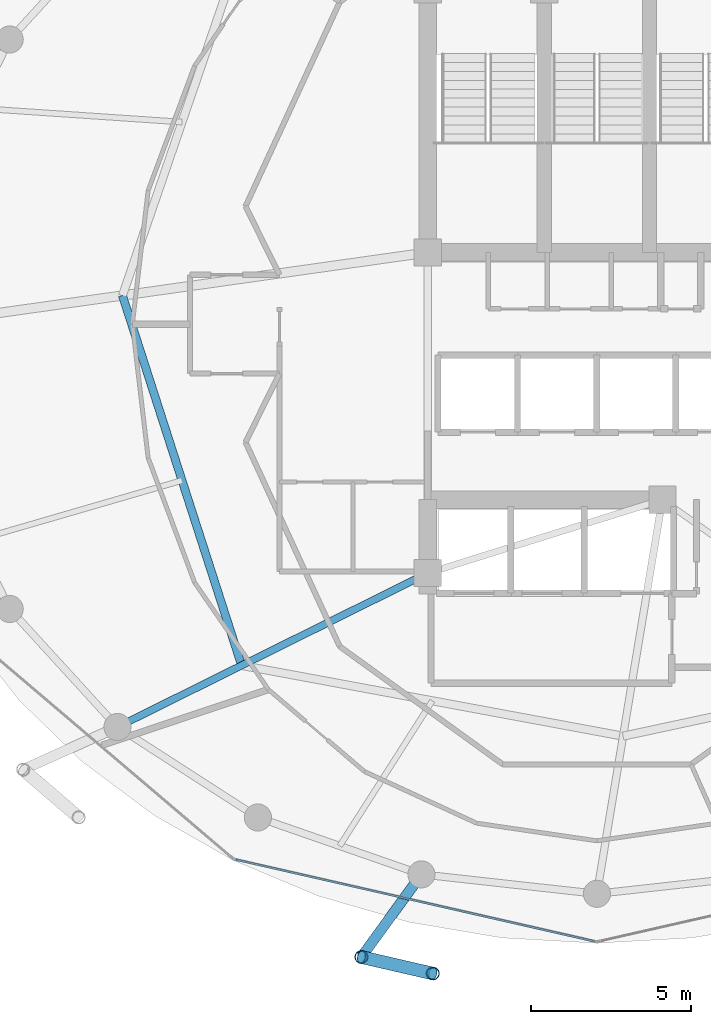
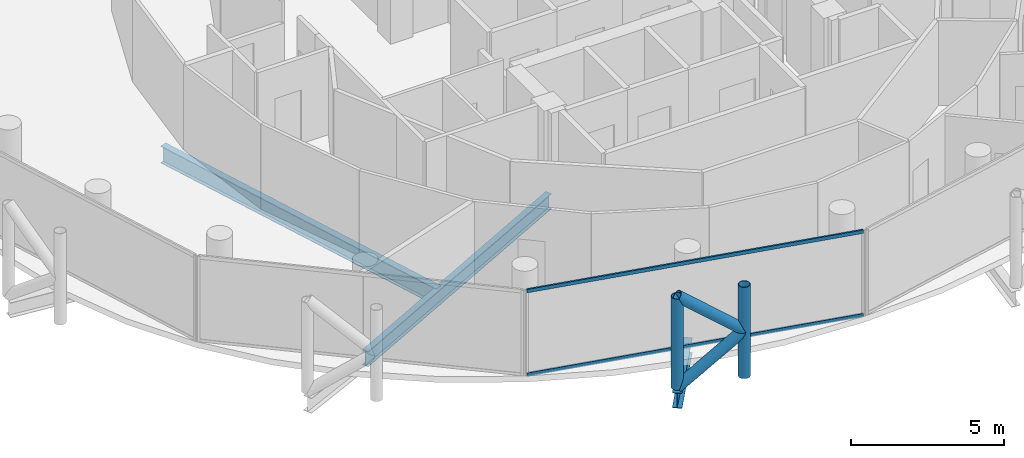
# One storey, part 4 of 27: 6 members, 3 beams, 1 element without a shape of its own.
"""IFC4 building model written with IfcOpenShell, lengths in metres."""

from ifc_helpers import new_model, si_unit, direction, frame, origin, origin_2d, place, context, subcontext, project, spatial, hollow_rectangle, hollow_circle, i_section, extrude, material, layer, layer_set, material_profile, profile_set, type_object, element, aggregate, save


model = new_model("IFC4")

# Units and contexts
model_context = context("Model", 3, precision=1e-05, world=origin(), true_north=direction((0.0, 1.0)))
body_context = subcontext(model_context, "Body", "Model", "MODEL_VIEW")
ifc_project = project(units=[si_unit("LENGTHUNIT", "METRE"), si_unit("AREAUNIT", "SQUARE_METRE"), si_unit("VOLUMEUNIT", "CUBIC_METRE"), si_unit("PLANEANGLEUNIT", "RADIAN"), si_unit("MASSUNIT", "GRAM", prefix="KILO")], contexts=[model_context])

# Site, building, storey
site_placement = place(None, origin())
site = spatial("IfcSite", under=ifc_project, at=site_placement, CompositionType="ELEMENT")
building_placement = place(site_placement, origin())
building = spatial("IfcBuilding", under=site, at=building_placement, Name="Nuhasar Tower", CompositionType="ELEMENT")
storey_placement = place(building_placement, frame((0.0, 0.0, 230.050048828125)))
storey = spatial("IfcBuildingStorey", under=building, at=storey_placement, Name="L56", CompositionType="ELEMENT", Elevation=230.050048828125)

# Beams
ifc_material_1 = material(Name="Steel S355", Category="steel")
ifc_material_profile_1 = material_profile(ifc_material_1, i_section(OverallWidth=0.25390625, OverallDepth=0.68408203125, WebThickness=0.012451171875, FlangeThickness=0.018798828125, at=origin_2d()), Name="W27X94")
ifc_profile_set_1 = profile_set([ifc_material_profile_1], Name="Steel S355")
beam_type_1 = type_object("IfcBeamType", Name="BM-INRING-W27X94", PredefinedType="BEAM", material=ifc_profile_set_1)
beam_1_placement = place(storey_placement, frame((24.1298828125, 27.699951171875, -0.58203125), z_axis=(0.306589852134, -0.951841721385, 0.0), x_axis=(0.951841721385, 0.306589852134, 0.0)))
element("IfcBeam", 1, at=beam_1_placement, inside=storey, type_object=beam_type_1, Name="L56 Inner Header Beam 08", PredefinedType="BEAM", context=body_context, shape_type="SweptSolid", body=[
    extrude(i_section(OverallWidth=0.25390625, OverallDepth=0.68408203125, WebThickness=0.012451171875, FlangeThickness=0.018798828125, at=origin_2d()), origin(), (0.0, 0.0, 1.0), 12.179443359375),
])
ifc_material_profile_2 = material_profile(ifc_material_1, i_section(OverallWidth=0.22900390625, OverallDepth=0.612060546875, WebThickness=0.011962890625, FlangeThickness=0.01953125, at=origin_2d()), Name="W24X84")
ifc_profile_set_2 = profile_set([ifc_material_profile_2], Name="Steel S355")
beam_type_2 = type_object("IfcBeamType", Name="BM-RAD-W24X84", PredefinedType="BEAM", material=ifc_profile_set_2)
beam_2_placement = place(storey_placement, frame((33.699951171875, 19.0, -0.546142578125), z_axis=(-0.895928935233, -0.444197414459, 0.0), x_axis=(0.444197414459, -0.895928935233, 0.0)))
element("IfcBeam", 2, at=beam_2_placement, inside=storey, type_object=beam_type_2, Name="L56 Radial Floor Girder 01", PredefinedType="BEAM", context=body_context, shape_type="SweptSolid", body=[
    extrude(i_section(OverallWidth=0.22900390625, OverallDepth=0.612060546875, WebThickness=0.011962890625, FlangeThickness=0.01953125, at=origin_2d()), origin(), (0.0, 0.0, 1.0), 10.85546875),
])
ifc_material_profile_3 = material_profile(ifc_material_1, i_section(OverallWidth=0.323974609375, OverallDepth=0.611083984375, WebThickness=0.0126953125, FlangeThickness=0.01904296875, at=origin_2d()), Name="W24X104")
ifc_profile_set_3 = profile_set([ifc_material_profile_3], Name="Steel S355")
beam_type_3 = type_object("IfcBeamType", Name="BM-TIE-W24X104", PredefinedType="BEAM", material=ifc_profile_set_3)
beam_3_placement = place(storey_placement, frame((33.5, 9.55810546875, -0.545166015625), z_axis=(-0.588094663461, -0.808792103577, 0.0), x_axis=(0.808792103577, -0.588094663461, 0.0)))
element("IfcBeam", 3, at=beam_3_placement, inside=storey, type_object=beam_type_3, Name="L56 Exoskeleton Node Tie Beam 09", PredefinedType="BEAM", context=body_context, shape_type="SweptSolid", body=[
    extrude(i_section(OverallWidth=0.323974609375, OverallDepth=0.611083984375, WebThickness=0.0126953125, FlangeThickness=0.01904296875, at=origin_2d()), origin(), (0.0, 0.0, 1.0), 3.20361328125),
])

# Curtain wall, members
ifc_material_2 = material(Name="Aluminium 6063-T6", Category="aluminium")
ifc_layer = layer(ifc_material_2, 0.18994140625)
ifc_layer_set = layer_set([ifc_layer], Name="Aluminium 6063-T6")
curtain_wall_type = type_object("IfcCurtainWallType", Name="CW-Z3-RES", PredefinedType="NOTDEFINED", material=ifc_layer_set)
curtain_wall_placement = place(storey_placement, origin())
curtain_wall = element("IfcCurtainWall", 4, at=curtain_wall_placement, inside=storey, type_object=curtain_wall_type, Name="L56 Unitised Curtain Wall 09", PredefinedType="NOTDEFINED")
ifc_material_profile_4 = material_profile(ifc_material_2, hollow_rectangle(XDim=0.06494140625, YDim=0.139892578125, WallThickness=0.00439453125, at=origin_2d()), Name="CWT-4")
ifc_profile_set_4 = profile_set([ifc_material_profile_4], Name="Aluminium 6063-T6")
member_type_1 = type_object("IfcMemberType", Name="CW-TRN-S4", PredefinedType="USERDEFINED", material=ifc_profile_set_4)
member_1_placement = place(storey_placement, frame((27.683349609375, 10.01953125, 0.032470703125), z_axis=(0.974989487479, -0.222250982686, 0.0), x_axis=(0.222250982686, 0.974989487479, 0.0)))
member_1 = element("IfcMember", 5, at=member_1_placement, type_object=member_type_1, Name="CW-Z3 transom 1.1", ObjectType="TRANSOM", PredefinedType="USERDEFINED", context=body_context, shape_type="SweptSolid", body=[
    extrude(hollow_rectangle(XDim=0.06494140625, YDim=0.139892578125, WallThickness=0.00439453125, at=origin_2d()), origin(), (0.0, 0.0, 1.0), 11.541748046875),
])
member_2_placement = place(storey_placement, frame((27.683349609375, 10.01953125, 3.37744140625), z_axis=(0.974989487479, -0.222250982686, 0.0), x_axis=(0.222250982686, 0.974989487479, 0.0)))
member_2 = element("IfcMember", 6, at=member_2_placement, type_object=member_type_1, Name="CW-Z3 transom 1.2", ObjectType="TRANSOM", PredefinedType="USERDEFINED", context=body_context, shape_type="SweptSolid", body=[
    extrude(hollow_rectangle(XDim=0.06494140625, YDim=0.139892578125, WallThickness=0.00439453125, at=origin_2d()), origin(), (0.0, 0.0, 1.0), 11.541748046875),
])
aggregate(curtain_wall, [member_1, member_2])

# Members
ifc_material_3 = material(Name="Steel S460", Category="steel")
ifc_material_profile_5 = material_profile(ifc_material_3, hollow_circle(Radius=0.203125, WallThickness=0.01904296875, at=origin_2d()), Name="HSS406.4X19.1")
ifc_profile_set_5 = profile_set([ifc_material_profile_5], Name="Steel S460")
member_type_2 = type_object("IfcMemberType", Name="EXO-BRONZE-406", PredefinedType="BRACE", material=ifc_profile_set_5)
for number, where, z_axis, x_axis, name in (
    (7, (31.615966796875, 6.967041015625, 0.0), (0.0, 0.0, 1.0), (1.0, 0.0, 0.0), "L56 Exoskeleton Chord Column EC-09A"),
    (8, (33.85693359375, 6.450927734375, 0.0), (0.0, 0.0, 1.0), (1.0, 0.0, 0.0), "L56 Exoskeleton Chord Column EC-09B"),
):
    element("IfcMember", number, at=place(storey_placement, frame(where, z_axis=z_axis, x_axis=x_axis)), inside=storey, type_object=member_type_2, Name=name, PredefinedType="BRACE", context=body_context, shape_type="SweptSolid", body=[
        extrude(hollow_circle(Radius=0.203125, WallThickness=0.01904296875, at=origin_2d()), origin(), (0.0, 0.0, 1.0), 3.64990234375),
    ])
for number, where, z_axis, x_axis, name in (
    (9, (31.615966796875, 6.967041015625, 0.0), (0.76333158458, -0.175801609086, 0.621625841021), (0.224433035437, 0.97448951385, 0.0), "L56 Bronze Diagrid Brace W1-09"),
    (10, (33.85693359375, 6.450927734375, 1.824951171875), (-0.76333158458, 0.175801609086, 0.621625841021), (-0.224433035437, -0.97448951385, 0.0), "L56 Bronze Diagrid Brace W2-09"),
):
    element("IfcMember", number, at=place(storey_placement, frame(where, z_axis=z_axis, x_axis=x_axis)), inside=storey, type_object=member_type_2, Name=name, PredefinedType="BRACE", context=body_context, shape_type="SweptSolid", body=[
        extrude(hollow_circle(Radius=0.203125, WallThickness=0.01904296875, at=origin_2d()), origin(), (0.0, 0.0, 1.0), 2.935791015625),
    ])

save(model, "model.ifc")
